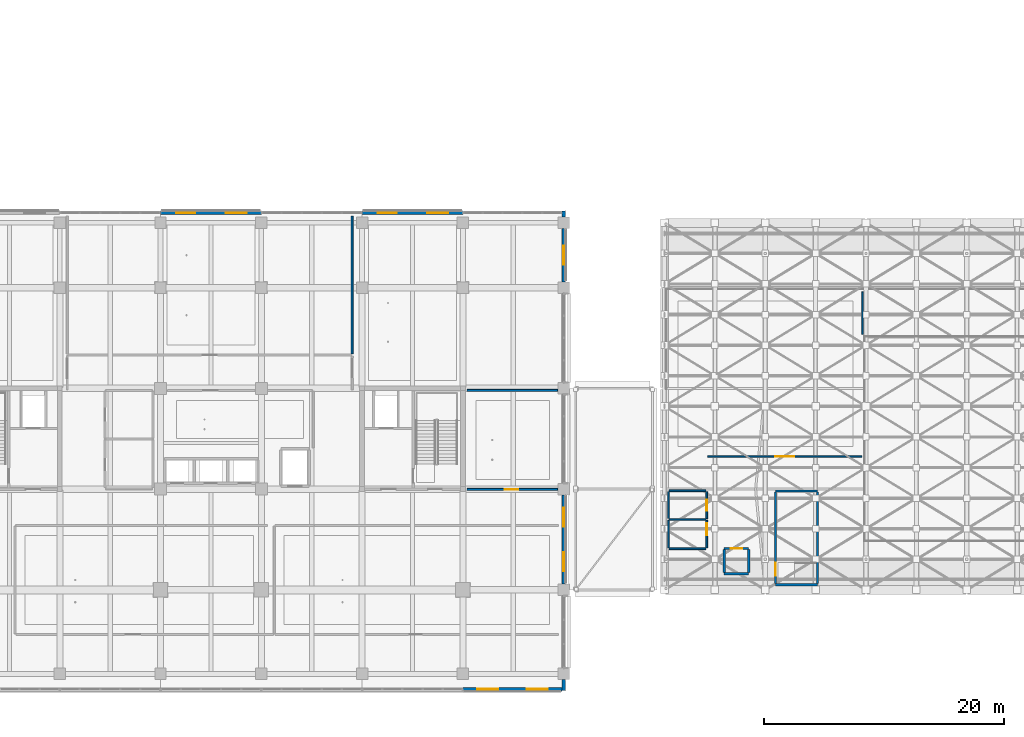
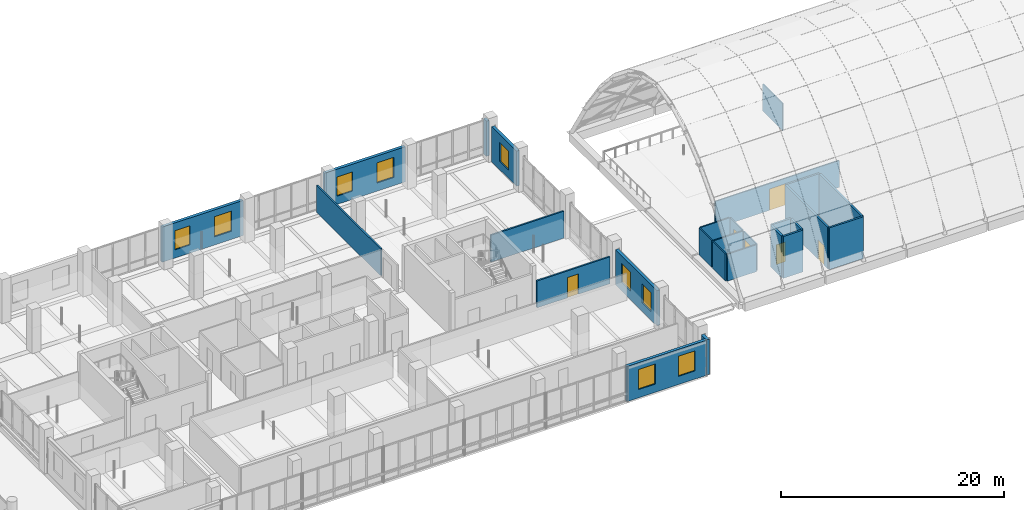
# One storey, part 56 of 128: 27 walls, 9 windows, 6 doors, 15 openings.
"""IFC4 building model written with IfcOpenShell, lengths in metres."""

from ifc_helpers import new_model, si_unit, direction, frame, frame_2d, origin, place, context, subcontext, project, spatial, rectangle, extrude, material, layer, layer_set, type_object, element, fill, save


model = new_model("IFC4")

# Units and contexts
model_context = context("Model", 3, precision=1e-05, world=origin(), true_north=direction((0.0, 1.0)))
body_context = subcontext(model_context, "Body", "Model", "MODEL_VIEW")
ifc_project = project(units=[si_unit("LENGTHUNIT", "METRE"), si_unit("AREAUNIT", "SQUARE_METRE"), si_unit("VOLUMEUNIT", "CUBIC_METRE"), si_unit("PLANEANGLEUNIT", "RADIAN"), si_unit("MASSUNIT", "GRAM", prefix="KILO")], contexts=[model_context])

# Site, building, storey
site_placement = place(None, origin())
site = spatial("IfcSite", under=ifc_project, at=site_placement, CompositionType="ELEMENT")
building_placement = place(site_placement, origin())
building = spatial("IfcBuilding", under=site, at=building_placement, Name="Telukmera Botanical Conservatory", CompositionType="ELEMENT")
storey_placement = place(building_placement, frame((0.0, 0.0, 5.39990234375)))
storey = spatial("IfcBuildingStorey", under=building, at=storey_placement, Name="L01", CompositionType="ELEMENT", Elevation=5.39990234375)

# Walls
ifc_material_1 = material(Name="Terracotta-faced precast concrete C40/50", Category="masonry")
ifc_layer_1 = layer(ifc_material_1, 0.300048828125)
ifc_layer_set_1 = layer_set([ifc_layer_1], Name="Terracotta-faced precast concrete C40/50")
wall_type_1 = type_object("IfcWallType", Name="Exterior Polychrome Terracotta Precast Wall 300", PredefinedType="SOLIDWALL", material=ifc_layer_set_1)
wall_1_placement = place(storey_placement, frame((109.199951171875, 9.199951171875, 0.0), z_axis=(0.0, 0.0, 1.0), x_axis=(0.0, 1.0, 0.0)))
element("IfcWall", 1, at=wall_1_placement, inside=storey, type_object=wall_type_1, Name="Exterior Precast Wall EW02 V4:L01:SEC", PredefinedType="SOLIDWALL", context=body_context, shape_type="SweptSolid", body=[
    extrude(rectangle(XDim=0.923095703125, YDim=0.300048828125, at=frame_2d((0.46142578125, 0.0))), origin(), (0.0, 0.0, 1.0), 3.85009765625),
])
wall_2_placement = place(storey_placement, frame((109.199951171875, 48.677001953125, 0.0), z_axis=(0.0, 0.0, 1.0), x_axis=(0.0, 1.0, 0.0)))
element("IfcWall", 2, at=wall_2_placement, inside=storey, type_object=wall_type_1, Name="Exterior Precast Wall EW02 V4:L01:NEC", PredefinedType="SOLIDWALL", context=body_context, shape_type="SweptSolid", body=[
    extrude(rectangle(XDim=0.52294921875, YDim=0.300048828125, at=frame_2d((0.261474609375, 0.0))), origin(), (0.0, 0.0, 1.0), 3.85009765625),
])

# Wall, openings, windows
wall_3_placement = place(storey_placement, frame((100.802001953125, 9.320068359375, 0.0), z_axis=(0.0, 0.0, 1.0), x_axis=(1.0, 0.0, 0.0)))
wall_3 = element("IfcWall", 3, at=wall_3_placement, inside=storey, type_object=wall_type_1, Name="Exterior Precast Wall EW02 V4:L01:S7", PredefinedType="SOLIDWALL", context=body_context, shape_type="SweptSolid", body=[
    extrude(rectangle(XDim=8.24609375, YDim=0.300048828125, at=frame_2d((4.123046875, 0.0))), origin(), (0.0, 0.0, 1.0), 3.85009765625),
])
opening_1_placement = place(wall_3_placement, frame((1.1865234375, 0.0, 0.89990234375)))
opening_1 = element("IfcOpeningElement", 4, at=opening_1_placement, cuts=wall_3, Name="Opening W08", PredefinedType="OPENING", context=body_context, shape_type="SweptSolid", body=[
    extrude(rectangle(XDim=1.75, YDim=2.199951171875, at=frame_2d((0.875, 1.10009765625))), frame((0.0, 0.159912109375, 0.0), z_axis=(0.0, -1.0, 0.0), x_axis=(1.0, 0.0, 0.0)), (0.0, 0.0, 1.0), 0.320068359375),
])
opening_2_placement = place(wall_3_placement, frame((5.3095703125, 0.0, 0.89990234375)))
opening_2 = element("IfcOpeningElement", 5, at=opening_2_placement, cuts=wall_3, Name="Opening W08", PredefinedType="OPENING", context=body_context, shape_type="SweptSolid", body=[
    extrude(rectangle(XDim=1.75, YDim=2.199951171875, at=frame_2d((0.875, 1.10009765625))), frame((0.0, 0.159912109375, 0.0), z_axis=(0.0, -1.0, 0.0), x_axis=(1.0, 0.0, 0.0)), (0.0, 0.0, 1.0), 0.320068359375),
])
ifc_material_2 = material(Name="Thermally broken anodised aluminium frame with low-E double glazing", Category="aluminium")
window_type_1 = type_object("IfcWindowType", Name="Double Vertical Library Reading Window 1750x2200", PartitioningType="DOUBLE_PANEL_VERTICAL", PredefinedType="WINDOW", material=ifc_material_2)
window_1_placement = place(opening_1_placement, origin())
window_1 = element("IfcWindow", 6, at=window_1_placement, inside=storey, type_object=window_type_1, Name="Facade Window W08 V4:L01:S7 1", OverallHeight=2.199951171875, OverallWidth=1.75, PartitioningType="DOUBLE_PANEL_VERTICAL", PredefinedType="WINDOW", context=body_context, shape_type="SweptSolid", body=[
    extrude(rectangle(XDim=1.75, YDim=2.199951171875, at=frame_2d((0.875, 1.10009765625))), frame((0.0, 0.030029296875, 0.0), z_axis=(0.0, -1.0, 0.0), x_axis=(1.0, 0.0, 0.0)), (0.0, 0.0, 1.0), 0.06005859375),
])
fill(opening_1, window_1)
window_2_placement = place(opening_2_placement, origin())
window_2 = element("IfcWindow", 7, at=window_2_placement, inside=storey, type_object=window_type_1, Name="Facade Window W08 V4:L01:S7 2", OverallHeight=2.199951171875, OverallWidth=1.75, PartitioningType="DOUBLE_PANEL_VERTICAL", PredefinedType="WINDOW", context=body_context, shape_type="SweptSolid", body=[
    extrude(rectangle(XDim=1.75, YDim=2.199951171875, at=frame_2d((0.875, 1.10009765625))), frame((0.0, 0.030029296875, 0.0), z_axis=(0.0, -1.0, 0.0), x_axis=(1.0, 0.0, 0.0)), (0.0, 0.0, 1.0), 0.06005859375),
])
fill(opening_2, window_2)

wall_4_placement = place(storey_placement, frame((75.60205078125, 49.02001953125, 0.0), z_axis=(0.0, 0.0, 1.0), x_axis=(1.0, 0.0, 0.0)))
wall_4 = element("IfcWall", 8, at=wall_4_placement, inside=storey, type_object=wall_type_1, Name="Exterior Precast Wall EW02 V4:L01:N4", PredefinedType="SOLIDWALL", context=body_context, shape_type="SweptSolid", body=[
    extrude(rectangle(XDim=8.39599609375, YDim=0.300048828125, at=frame_2d((4.197998046875, 0.0))), origin(), (0.0, 0.0, 1.0), 3.85009765625),
])
opening_3_placement = place(wall_4_placement, frame((1.299072265625, 0.0, 0.89990234375)))
opening_3 = element("IfcOpeningElement", 9, at=opening_3_placement, cuts=wall_4, Name="Opening W07", PredefinedType="OPENING", context=body_context, shape_type="SweptSolid", body=[
    extrude(rectangle(XDim=1.60009765625, YDim=2.10009765625, at=frame_2d((0.800048828125, 1.050048828125))), frame((0.0, 0.159912109375, 0.0), z_axis=(0.0, -1.0, 0.0), x_axis=(1.0, 0.0, 0.0)), (0.0, 0.0, 1.0), 0.320068359375),
])
opening_4_placement = place(wall_4_placement, frame((5.422119140625, 0.0, 0.89990234375)))
opening_4 = element("IfcOpeningElement", 10, at=opening_4_placement, cuts=wall_4, Name="Opening W08", PredefinedType="OPENING", context=body_context, shape_type="SweptSolid", body=[
    extrude(rectangle(XDim=1.75, YDim=2.199951171875, at=frame_2d((0.875, 1.10009765625))), frame((0.0, 0.159912109375, 0.0), z_axis=(0.0, -1.0, 0.0), x_axis=(1.0, 0.0, 0.0)), (0.0, 0.0, 1.0), 0.320068359375),
])
window_type_2 = type_object("IfcWindowType", Name="Double Vertical Curation Study Window 1600x2100", PartitioningType="DOUBLE_PANEL_VERTICAL", PredefinedType="WINDOW", material=ifc_material_2)
window_3_placement = place(opening_3_placement, origin())
window_3 = element("IfcWindow", 11, at=window_3_placement, inside=storey, type_object=window_type_2, Name="Facade Window W07 V4:L01:N4 1", OverallHeight=2.10009765625, OverallWidth=1.60009765625, PartitioningType="DOUBLE_PANEL_VERTICAL", PredefinedType="WINDOW", context=body_context, shape_type="SweptSolid", body=[
    extrude(rectangle(XDim=1.60009765625, YDim=2.10009765625, at=frame_2d((0.800048828125, 1.050048828125))), frame((0.0, 0.030029296875, 0.0), z_axis=(0.0, -1.0, 0.0), x_axis=(1.0, 0.0, 0.0)), (0.0, 0.0, 1.0), 0.06005859375),
])
fill(opening_3, window_3)
window_4_placement = place(opening_4_placement, origin())
window_4 = element("IfcWindow", 12, at=window_4_placement, inside=storey, type_object=window_type_1, Name="Facade Window W08 V4:L01:N4 2", OverallHeight=2.199951171875, OverallWidth=1.75, PartitioningType="DOUBLE_PANEL_VERTICAL", PredefinedType="WINDOW", context=body_context, shape_type="SweptSolid", body=[
    extrude(rectangle(XDim=1.75, YDim=2.199951171875, at=frame_2d((0.875, 1.10009765625))), frame((0.0, 0.030029296875, 0.0), z_axis=(0.0, -1.0, 0.0), x_axis=(1.0, 0.0, 0.0)), (0.0, 0.0, 1.0), 0.06005859375),
])
fill(opening_4, window_4)

wall_5_placement = place(storey_placement, frame((92.402099609375, 49.02001953125, 0.0), z_axis=(0.0, 0.0, 1.0), x_axis=(1.0, 0.0, 0.0)))
wall_5 = element("IfcWall", 13, at=wall_5_placement, inside=storey, type_object=wall_type_1, Name="Exterior Precast Wall EW02 V4:L01:N6", PredefinedType="SOLIDWALL", context=body_context, shape_type="SweptSolid", body=[
    extrude(rectangle(XDim=8.39599609375, YDim=0.300048828125, at=frame_2d((4.197998046875, 0.0))), origin(), (0.0, 0.0, 1.0), 3.85009765625),
])
opening_5_placement = place(wall_5_placement, frame((1.299072265625, 0.0, 0.89990234375)))
opening_5 = element("IfcOpeningElement", 14, at=opening_5_placement, cuts=wall_5, Name="Opening W07", PredefinedType="OPENING", context=body_context, shape_type="SweptSolid", body=[
    extrude(rectangle(XDim=1.60009765625, YDim=2.10009765625, at=frame_2d((0.800048828125, 1.050048828125))), frame((0.0, 0.159912109375, 0.0), z_axis=(0.0, -1.0, 0.0), x_axis=(1.0, 0.0, 0.0)), (0.0, 0.0, 1.0), 0.320068359375),
])
opening_6_placement = place(wall_5_placement, frame((5.422119140625, 0.0, 0.89990234375)))
opening_6 = element("IfcOpeningElement", 15, at=opening_6_placement, cuts=wall_5, Name="Opening W08", PredefinedType="OPENING", context=body_context, shape_type="SweptSolid", body=[
    extrude(rectangle(XDim=1.75, YDim=2.199951171875, at=frame_2d((0.875, 1.10009765625))), frame((0.0, 0.159912109375, 0.0), z_axis=(0.0, -1.0, 0.0), x_axis=(1.0, 0.0, 0.0)), (0.0, 0.0, 1.0), 0.320068359375),
])
window_5_placement = place(opening_5_placement, origin())
window_5 = element("IfcWindow", 16, at=window_5_placement, inside=storey, type_object=window_type_2, Name="Facade Window W07 V4:L01:N6 1", OverallHeight=2.10009765625, OverallWidth=1.60009765625, PartitioningType="DOUBLE_PANEL_VERTICAL", PredefinedType="WINDOW", context=body_context, shape_type="SweptSolid", body=[
    extrude(rectangle(XDim=1.60009765625, YDim=2.10009765625, at=frame_2d((0.800048828125, 1.050048828125))), frame((0.0, 0.030029296875, 0.0), z_axis=(0.0, -1.0, 0.0), x_axis=(1.0, 0.0, 0.0)), (0.0, 0.0, 1.0), 0.06005859375),
])
fill(opening_5, window_5)
window_6_placement = place(opening_6_placement, origin())
window_6 = element("IfcWindow", 17, at=window_6_placement, inside=storey, type_object=window_type_1, Name="Facade Window W08 V4:L01:N6 2", OverallHeight=2.199951171875, OverallWidth=1.75, PartitioningType="DOUBLE_PANEL_VERTICAL", PredefinedType="WINDOW", context=body_context, shape_type="SweptSolid", body=[
    extrude(rectangle(XDim=1.75, YDim=2.199951171875, at=frame_2d((0.875, 1.10009765625))), frame((0.0, 0.030029296875, 0.0), z_axis=(0.0, -1.0, 0.0), x_axis=(1.0, 0.0, 0.0)), (0.0, 0.0, 1.0), 0.06005859375),
])
fill(opening_6, window_6)

wall_6_placement = place(storey_placement, frame((109.199951171875, 18.076904296875, 0.0), z_axis=(0.0, 0.0, 1.0), x_axis=(0.0, 1.0, 0.0)))
wall_6 = element("IfcWall", 18, at=wall_6_placement, inside=storey, type_object=wall_type_1, Name="Exterior Precast Wall EW02 V4:L01:E2", PredefinedType="SOLIDWALL", context=body_context, shape_type="SweptSolid", body=[
    extrude(rectangle(XDim=7.446044921875, YDim=0.300048828125, at=frame_2d((3.72314453125, 0.0))), origin(), (0.0, 0.0, 1.0), 3.85009765625),
])
opening_7_placement = place(wall_6_placement, frame((1.0615234375, 0.0, 0.89990234375)))
opening_7 = element("IfcOpeningElement", 19, at=opening_7_placement, cuts=wall_6, Name="Opening W07", PredefinedType="OPENING", context=body_context, shape_type="SweptSolid", body=[
    extrude(rectangle(XDim=1.60009765625, YDim=2.10009765625, at=frame_2d((0.800048828125, 1.050048828125))), frame((0.0, 0.159912109375, 0.0), z_axis=(0.0, -1.0, 0.0), x_axis=(1.0, 0.0, 0.0)), (0.0, 0.0, 1.0), 0.320068359375),
])
opening_8_placement = place(wall_6_placement, frame((4.784423828125, 0.0, 0.89990234375)))
opening_8 = element("IfcOpeningElement", 20, at=opening_8_placement, cuts=wall_6, Name="Opening W07", PredefinedType="OPENING", context=body_context, shape_type="SweptSolid", body=[
    extrude(rectangle(XDim=1.60009765625, YDim=2.10009765625, at=frame_2d((0.800048828125, 1.050048828125))), frame((0.0, 0.159912109375, 0.0), z_axis=(0.0, -1.0, 0.0), x_axis=(1.0, 0.0, 0.0)), (0.0, 0.0, 1.0), 0.320068359375),
])
window_7_placement = place(opening_7_placement, origin())
window_7 = element("IfcWindow", 21, at=window_7_placement, inside=storey, type_object=window_type_2, Name="Facade Window W07 V4:L01:E2 1", OverallHeight=2.10009765625, OverallWidth=1.60009765625, PartitioningType="DOUBLE_PANEL_VERTICAL", PredefinedType="WINDOW", context=body_context, shape_type="SweptSolid", body=[
    extrude(rectangle(XDim=1.60009765625, YDim=2.10009765625, at=frame_2d((0.800048828125, 1.050048828125))), frame((0.0, 0.030029296875, 0.0), z_axis=(0.0, -1.0, 0.0), x_axis=(1.0, 0.0, 0.0)), (0.0, 0.0, 1.0), 0.06005859375),
])
fill(opening_7, window_7)
window_8_placement = place(opening_8_placement, origin())
window_8 = element("IfcWindow", 22, at=window_8_placement, inside=storey, type_object=window_type_2, Name="Facade Window W07 V4:L01:E2 2", OverallHeight=2.10009765625, OverallWidth=1.60009765625, PartitioningType="DOUBLE_PANEL_VERTICAL", PredefinedType="WINDOW", context=body_context, shape_type="SweptSolid", body=[
    extrude(rectangle(XDim=1.60009765625, YDim=2.10009765625, at=frame_2d((0.800048828125, 1.050048828125))), frame((0.0, 0.030029296875, 0.0), z_axis=(0.0, -1.0, 0.0), x_axis=(1.0, 0.0, 0.0)), (0.0, 0.0, 1.0), 0.06005859375),
])
fill(opening_8, window_8)

# Wall, opening, window
wall_7_placement = place(storey_placement, frame((109.199951171875, 43.277099609375, 0.0), z_axis=(0.0, 0.0, 1.0), x_axis=(0.0, 1.0, 0.0)))
wall_7 = element("IfcWall", 23, at=wall_7_placement, inside=storey, type_object=wall_type_1, Name="Exterior Precast Wall EW02 V4:L01:E5", PredefinedType="SOLIDWALL", context=body_context, shape_type="SweptSolid", body=[
    extrude(rectangle(XDim=4.44580078125, YDim=0.300048828125, at=frame_2d((2.222900390625, 0.0))), origin(), (0.0, 0.0, 1.0), 3.85009765625),
])
opening_9_placement = place(wall_7_placement, frame((1.423095703125, 0.0, 0.89990234375)))
opening_9 = element("IfcOpeningElement", 24, at=opening_9_placement, cuts=wall_7, Name="Opening W07", PredefinedType="OPENING", context=body_context, shape_type="SweptSolid", body=[
    extrude(rectangle(XDim=1.60009765625, YDim=2.10009765625, at=frame_2d((0.800048828125, 1.050048828125))), frame((0.0, 0.159912109375, 0.0), z_axis=(0.0, -1.0, 0.0), x_axis=(1.0, 0.0, 0.0)), (0.0, 0.0, 1.0), 0.320068359375),
])
window_9_placement = place(opening_9_placement, origin())
window_9 = element("IfcWindow", 25, at=window_9_placement, inside=storey, type_object=window_type_2, Name="Facade Window W07 V4:L01:E5", OverallHeight=2.10009765625, OverallWidth=1.60009765625, PartitioningType="DOUBLE_PANEL_VERTICAL", PredefinedType="WINDOW", context=body_context, shape_type="SweptSolid", body=[
    extrude(rectangle(XDim=1.60009765625, YDim=2.10009765625, at=frame_2d((0.800048828125, 1.050048828125))), frame((0.0, 0.030029296875, 0.0), z_axis=(0.0, -1.0, 0.0), x_axis=(1.0, 0.0, 0.0)), (0.0, 0.0, 1.0), 0.06005859375),
])
fill(opening_9, window_9)

# Wall, opening, door
ifc_material_3 = material(Name="Concrete C40/50", Category="concrete")
ifc_layer_2 = layer(ifc_material_3, 0.199951171875)
ifc_layer_set_2 = layer_set([ifc_layer_2], Name="Concrete C40/50")
wall_type_2 = type_object("IfcWallType", Name="WT-CORE-200", PredefinedType="SOLIDWALL", material=ifc_layer_set_2)
wall_8_placement = place(storey_placement, frame((122.580078125, 21.050048828125, 0.0), z_axis=(0.0, 0.0, 1.0), x_axis=(1.0, 0.0, 0.0)))
wall_8 = element("IfcWall", 26, at=wall_8_placement, inside=storey, type_object=wall_type_2, Name="L01 Lift CL1 Front Wall", PredefinedType="SOLIDWALL", context=body_context, shape_type="SweptSolid", body=[
    extrude(rectangle(XDim=2.0400390625, YDim=0.199951171875, at=frame_2d((1.02001953125, 0.0))), origin(), (0.0, 0.0, 1.0), 4.580078125),
])
opening_10_placement = place(wall_8_placement, frame((0.544921875, 0.0, 0.0)))
opening_10 = element("IfcOpeningElement", 27, at=opening_10_placement, cuts=wall_8, Name="Opening LD04", PredefinedType="OPENING", context=body_context, shape_type="SweptSolid", body=[
    extrude(rectangle(XDim=0.949951171875, YDim=2.14990234375, at=frame_2d((0.47509765625, 1.074951171875))), frame((0.0, 0.10986328125, 0.0), z_axis=(0.0, -1.0, 0.0), x_axis=(1.0, 0.0, 0.0)), (0.0, 0.0, 1.0), 0.219970703125),
])
ifc_material_4 = material(Name="Anodised aluminium and glass", Category="aluminium")
door_type_1 = type_object("IfcDoorType", Name="DT-LD04", OperationType="SLIDING_TO_LEFT", PredefinedType="DOOR", material=ifc_material_4)
door_1_placement = place(opening_10_placement, origin())
door_1 = element("IfcDoor", 28, at=door_1_placement, inside=storey, type_object=door_type_1, Name="L01 Lift Landing Door CL1", OperationType="SLIDING_TO_LEFT", OverallHeight=2.14990234375, OverallWidth=0.949951171875, PredefinedType="DOOR", context=body_context, shape_type="SweptSolid", body=[
    extrude(rectangle(XDim=0.949951171875, YDim=2.14990234375, at=frame_2d((0.47509765625, 1.074951171875))), frame((0.0, 0.02490234375, 0.0), z_axis=(0.0, -1.0, 0.0), x_axis=(1.0, 0.0, 0.0)), (0.0, 0.0, 1.0), 0.050048828125),
])
fill(opening_10, door_1)

# Walls
wall_9_placement = place(storey_placement, frame((122.580078125, 18.949951171875, 0.0), z_axis=(0.0, 0.0, 1.0), x_axis=(1.0, 0.0, 0.0)))
element("IfcWall", 29, at=wall_9_placement, inside=storey, type_object=wall_type_2, Name="L01 Lift CL1 Rear Wall", PredefinedType="SOLIDWALL", context=body_context, shape_type="SweptSolid", body=[
    extrude(rectangle(XDim=2.0400390625, YDim=0.199951171875, at=frame_2d((1.02001953125, 0.0))), origin(), (0.0, 0.0, 1.0), 4.580078125),
])
for number, where, z_axis, x_axis, name in (
    (30, (122.580078125, 19.050048828125, 0.0), (0.0, 0.0, 1.0), (0.0, 1.0, 0.0), "L01 Lift CL1 W Wall"),
    (31, (124.6201171875, 19.050048828125, 0.0), (0.0, 0.0, 1.0), (0.0, 1.0, 0.0), "L01 Lift CL1 E Wall"),
):
    element("IfcWall", number, at=place(storey_placement, frame(where, z_axis=z_axis, x_axis=x_axis)), inside=storey, type_object=wall_type_2, Name=name, PredefinedType="SOLIDWALL", context=body_context, shape_type="SweptSolid", body=[
        extrude(rectangle(XDim=1.89990234375, YDim=0.199951171875, at=frame_2d((0.949951171875, 0.0))), origin(), (0.0, 0.0, 1.0), 4.580078125),
    ])

# Wall, opening, door
ifc_material_5 = material(Name="Aluminium framed acoustic glass", Category="aluminium")
ifc_layer_3 = layer(ifc_material_5, 0.1201171875)
ifc_layer_set_3 = layer_set([ifc_layer_3], Name="Aluminium framed acoustic glass")
wall_type_3 = type_object("IfcWallType", Name="WT-GLAZ-120", PredefinedType="PARTITIONING", material=ifc_layer_set_3)
wall_10_placement = place(storey_placement, frame((121.199951171875, 28.72509765625, 0.0), z_axis=(0.0, 0.0, 1.0), x_axis=(1.0, 0.0, 0.0)))
wall_10 = element("IfcWall", 32, at=wall_10_placement, inside=storey, type_object=wall_type_3, Name="L01 Interior Partition 22", PredefinedType="PARTITIONING", context=body_context, shape_type="SweptSolid", body=[
    extrude(rectangle(XDim=12.85009765625, YDim=0.1201171875, at=frame_2d((6.425048828125, 0.0))), origin(), (0.0, 0.0, 1.0), 2.9501953125),
])
opening_11_placement = place(wall_10_placement, frame((5.625, 0.0, 0.0)))
opening_11 = element("IfcOpeningElement", 33, at=opening_11_placement, cuts=wall_10, Name="Opening ID03", PredefinedType="OPENING", context=body_context, shape_type="SweptSolid", body=[
    extrude(rectangle(XDim=1.60009765625, YDim=2.35009765625, at=frame_2d((0.800048828125, 1.175048828125))), frame((0.0, 0.070068359375, 0.0), z_axis=(0.0, -1.0, 0.0), x_axis=(1.0, 0.0, 0.0)), (0.0, 0.0, 1.0), 0.14013671875),
])
ifc_material_6 = material(Name="Anodised aluminium glazed double door", Category="aluminium")
door_type_2 = type_object("IfcDoorType", Name="DT-GAL-160", OperationType="NOTDEFINED", PredefinedType="DOOR", material=ifc_material_6)
door_2_placement = place(opening_11_placement, origin())
door_2 = element("IfcDoor", 34, at=door_2_placement, inside=storey, type_object=door_type_2, Name="L01 Conservatory Epiphyte Gallery Door", OperationType="SINGLE_SWING_LEFT", OverallHeight=2.35009765625, OverallWidth=1.60009765625, PredefinedType="DOOR", context=body_context, shape_type="SweptSolid", body=[
    extrude(rectangle(XDim=1.60009765625, YDim=2.35009765625, at=frame_2d((0.800048828125, 1.175048828125))), frame((0.0, 0.02490234375, 0.0), z_axis=(0.0, -1.0, 0.0), x_axis=(1.0, 0.0, 0.0)), (0.0, 0.0, 1.0), 0.050048828125),
])
fill(opening_11, door_2)

# Wall
wall_11_placement = place(storey_placement, frame((134.125, 38.89990234375, 0.0), z_axis=(0.0, 0.0, 1.0), x_axis=(0.0, 1.0, 0.0)))
element("IfcWall", 35, at=wall_11_placement, inside=storey, type_object=wall_type_3, Name="L01 Interior Partition 23", PredefinedType="PARTITIONING", context=body_context, shape_type="SweptSolid", body=[
    extrude(rectangle(XDim=3.550048828125, YDim=0.1201171875, at=frame_2d((1.77490234375, 0.0))), origin(), (0.0, 0.0, 1.0), 2.9501953125),
])

# Wall, opening, door
ifc_material_7 = material(Name="Gypsum acoustic stud partition")
ifc_layer_4 = layer(ifc_material_7, 0.159912109375)
ifc_layer_set_4 = layer_set([ifc_layer_4], Name="Gypsum acoustic stud partition")
wall_type_4 = type_object("IfcWallType", Name="WT-LAB-160", PredefinedType="PARTITIONING", material=ifc_layer_set_4)
wall_12_placement = place(storey_placement, frame((101.14990234375, 25.97509765625, 0.0), z_axis=(0.0, 0.0, 1.0), x_axis=(1.0, 0.0, 0.0)))
wall_12 = element("IfcWall", 36, at=wall_12_placement, inside=storey, type_object=wall_type_4, Name="L01 Interior Partition 47", PredefinedType="PARTITIONING", context=body_context, shape_type="SweptSolid", body=[
    extrude(rectangle(XDim=7.545166015625, YDim=0.159912109375, at=frame_2d((3.7724609375, 0.0))), origin(), (0.0, 0.0, 1.0), 2.9501953125),
])
opening_12_placement = place(wall_12_placement, frame((3.126708984375, 0.0, 0.0)))
opening_12 = element("IfcOpeningElement", 37, at=opening_12_placement, cuts=wall_12, Name="Opening ID10", PredefinedType="OPENING", context=body_context, shape_type="SweptSolid", body=[
    extrude(rectangle(XDim=1.139892578125, YDim=2.219970703125, at=frame_2d((0.56982421875, 1.10986328125))), frame((0.0, 0.08984375, 0.0), z_axis=(0.0, -1.0, 0.0), x_axis=(1.0, 0.0, 0.0)), (0.0, 0.0, 1.0), 0.179931640625),
])
ifc_material_8 = material(Name="Sealed steel herbarium door", Category="steel")
door_type_3 = type_object("IfcDoorType", Name="DT-HERB-114", OperationType="NOTDEFINED", PredefinedType="DOOR", material=ifc_material_8)
door_3_placement = place(opening_12_placement, origin())
door_3 = element("IfcDoor", 38, at=door_3_placement, inside=storey, type_object=door_type_3, Name="L01 Botanical Map Archive Studio Door", OperationType="SINGLE_SWING_LEFT", OverallHeight=2.219970703125, OverallWidth=1.139892578125, PredefinedType="DOOR", context=body_context, shape_type="SweptSolid", body=[
    extrude(rectangle(XDim=1.139892578125, YDim=2.219970703125, at=frame_2d((0.56982421875, 1.10986328125))), frame((0.0, 0.02490234375, 0.0), z_axis=(0.0, -1.0, 0.0), x_axis=(1.0, 0.0, 0.0)), (0.0, 0.0, 1.0), 0.050048828125),
])
fill(opening_12, door_3)

# Walls
wall_13_placement = place(storey_placement, frame((101.14990234375, 34.22509765625, 0.0), z_axis=(0.0, 0.0, 1.0), x_axis=(1.0, 0.0, 0.0)))
element("IfcWall", 39, at=wall_13_placement, inside=storey, type_object=wall_type_4, Name="L01 Interior Partition 48", PredefinedType="PARTITIONING", context=body_context, shape_type="SweptSolid", body=[
    extrude(rectangle(XDim=7.545166015625, YDim=0.159912109375, at=frame_2d((3.7724609375, 0.0))), origin(), (0.0, 0.0, 1.0), 2.9501953125),
])
wall_14_placement = place(storey_placement, frame((91.574951171875, 37.264892578125, 0.0), z_axis=(0.0, 0.0, 1.0), x_axis=(0.0, 1.0, 0.0)))
element("IfcWall", 40, at=wall_14_placement, inside=storey, type_object=wall_type_4, Name="L01 Interior Partition 64", PredefinedType="PARTITIONING", context=body_context, shape_type="SweptSolid", body=[
    extrude(rectangle(XDim=11.485107421875, YDim=0.159912109375, at=frame_2d((5.74267578125, 0.0))), origin(), (0.0, 0.0, 1.0), 2.9501953125),
])
ifc_layer_5 = layer(ifc_material_3, 0.18994140625)
ifc_layer_set_5 = layer_set([ifc_layer_5], Name="Concrete C40/50")
wall_type_5 = type_object("IfcWallType", Name="WT-STAIR-190", PredefinedType="SOLIDWALL", material=ifc_layer_set_5)
for number, where, z_axis, x_axis, name in (
    (41, (126.85009765625, 18.0400390625, 0.0), (0.0, 0.0, 1.0), (1.0, 0.0, 0.0), "L01 Stair ST5 South Wall"),
    (42, (126.85009765625, 25.840087890625, 0.0), (0.0, 0.0, 1.0), (1.0, 0.0, 0.0), "L01 Stair ST5 North Wall"),
):
    element("IfcWall", number, at=place(storey_placement, frame(where, z_axis=z_axis, x_axis=x_axis)), inside=storey, type_object=wall_type_5, Name=name, PredefinedType="SOLIDWALL", context=body_context, shape_type="SweptSolid", body=[
        extrude(rectangle(XDim=3.5, YDim=0.18994140625, at=frame_2d((1.75, 0.0))), origin(), (0.0, 0.0, 1.0), 4.580078125),
    ])

# Wall, opening, door
wall_15_placement = place(storey_placement, frame((126.85009765625, 18.139892578125, 0.0), z_axis=(0.0, 0.0, 1.0), x_axis=(0.0, 1.0, 0.0)))
wall_15 = element("IfcWall", 43, at=wall_15_placement, inside=storey, type_object=wall_type_5, Name="L01 Stair ST5 West Wall", PredefinedType="SOLIDWALL", context=body_context, shape_type="SweptSolid", body=[
    extrude(rectangle(XDim=7.60009765625, YDim=0.18994140625, at=frame_2d((3.800048828125, 0.0))), origin(), (0.0, 0.0, 1.0), 4.580078125),
])
opening_13_placement = place(wall_15_placement, frame((0.659912109375, 0.0, 0.0)))
opening_13 = element("IfcOpeningElement", 44, at=opening_13_placement, cuts=wall_15, Name="Opening FD60E", PredefinedType="OPENING", context=body_context, shape_type="SweptSolid", body=[
    extrude(rectangle(XDim=1.080078125, YDim=2.14990234375, at=frame_2d((0.5400390625, 1.074951171875))), frame((0.0, 0.10498046875, 0.0), z_axis=(0.0, -1.0, 0.0), x_axis=(1.0, 0.0, 0.0)), (0.0, 0.0, 1.0), 0.2099609375),
])
ifc_material_9 = material(Name="Hardwood fire door", Category="wood")
door_type_4 = type_object("IfcDoorType", Name="DT-FD60-05", OperationType="NOTDEFINED", PredefinedType="DOOR", material=ifc_material_9)
door_4_placement = place(opening_13_placement, frame((1.080078125, 0.0, 0.0), z_axis=(0.0, 0.0, 1.0), x_axis=(-1.0, 0.0, 0.0)))
door_4 = element("IfcDoor", 45, at=door_4_placement, inside=storey, type_object=door_type_4, Name="L01 Stair ST5 Door", OperationType="SINGLE_SWING_LEFT", OverallHeight=2.14990234375, OverallWidth=1.080078125, PredefinedType="DOOR", context=body_context, shape_type="SweptSolid", body=[
    extrude(rectangle(XDim=1.080078125, YDim=2.14990234375, at=frame_2d((0.5400390625, 1.074951171875))), frame((0.0, 0.02490234375, 0.0), z_axis=(0.0, -1.0, 0.0), x_axis=(1.0, 0.0, 0.0)), (0.0, 0.0, 1.0), 0.050048828125),
])
fill(opening_13, door_4)

# Wall
wall_16_placement = place(storey_placement, frame((130.35009765625, 18.139892578125, 0.0), z_axis=(0.0, 0.0, 1.0), x_axis=(0.0, 1.0, 0.0)))
element("IfcWall", 46, at=wall_16_placement, inside=storey, type_object=wall_type_5, Name="L01 Stair ST5 East Wall", PredefinedType="SOLIDWALL", context=body_context, shape_type="SweptSolid", body=[
    extrude(rectangle(XDim=7.60009765625, YDim=0.18994140625, at=frame_2d((3.800048828125, 0.0))), origin(), (0.0, 0.0, 1.0), 4.580078125),
])

# Wall, opening, door
ifc_material_10 = material(Name="Moisture-resistant blockwork", Category="masonry")
ifc_layer_6 = layer(ifc_material_10, 0.135009765625)
ifc_layer_set_6 = layer_set([ifc_layer_6], Name="Moisture-resistant blockwork")
wall_type_6 = type_object("IfcWallType", Name="WT-WC-135", PredefinedType="PARTITIONING", material=ifc_layer_set_6)
wall_17_placement = place(storey_placement, frame((121.125, 21.10009765625, 0.0), z_axis=(0.0, 0.0, 1.0), x_axis=(0.0, 1.0, 0.0)))
wall_17 = element("IfcWall", 47, at=wall_17_placement, inside=storey, type_object=wall_type_6, Name="L01 Interior Partition 19", PredefinedType="PARTITIONING", context=body_context, shape_type="SweptSolid", body=[
    extrude(rectangle(XDim=2.2998046875, YDim=0.135009765625, at=frame_2d((1.14990234375, 0.0))), origin(), (0.0, 0.0, 1.0), 2.9501953125),
])
opening_14_placement = place(wall_17_placement, frame((1.070068359375, 0.0, 0.0)))
opening_14 = element("IfcOpeningElement", 48, at=opening_14_placement, cuts=wall_17, Name="Opening ID15", PredefinedType="OPENING", context=body_context, shape_type="SweptSolid", body=[
    extrude(rectangle(XDim=0.97998046875, YDim=2.14990234375, at=frame_2d((0.489990234375, 1.074951171875))), frame((0.0, 0.077392578125, 0.0), z_axis=(0.0, -1.0, 0.0), x_axis=(1.0, 0.0, 0.0)), (0.0, 0.0, 1.0), 0.155029296875),
])
ifc_material_11 = material(Name="Accessible sanitary laminate door")
door_type_5 = type_object("IfcDoorType", Name="DT-OKU-098", OperationType="NOTDEFINED", PredefinedType="DOOR", material=ifc_material_11)
door_5_placement = place(opening_14_placement, frame((0.97998046875, 0.0, 0.0), z_axis=(0.0, 0.0, 1.0), x_axis=(-1.0, 0.0, 0.0)))
door_5 = element("IfcDoor", 49, at=door_5_placement, inside=storey, type_object=door_type_5, Name="L01 Accessible WC Door", OperationType="SINGLE_SWING_LEFT", OverallHeight=2.14990234375, OverallWidth=0.97998046875, PredefinedType="DOOR", context=body_context, shape_type="SweptSolid", body=[
    extrude(rectangle(XDim=0.97998046875, YDim=2.14990234375, at=frame_2d((0.489990234375, 1.074951171875))), frame((0.0, 0.02490234375, 0.0), z_axis=(0.0, -1.0, 0.0), x_axis=(1.0, 0.0, 0.0)), (0.0, 0.0, 1.0), 0.050048828125),
])
fill(opening_14, door_5)

wall_18_placement = place(storey_placement, frame((121.125, 23.550048828125, 0.0), z_axis=(0.0, 0.0, 1.0), x_axis=(0.0, 1.0, 0.0)))
wall_18 = element("IfcWall", 50, at=wall_18_placement, inside=storey, type_object=wall_type_6, Name="L01 Interior Partition 20", PredefinedType="PARTITIONING", context=body_context, shape_type="SweptSolid", body=[
    extrude(rectangle(XDim=2.25, YDim=0.135009765625, at=frame_2d((1.125, 0.0))), origin(), (0.0, 0.0, 1.0), 2.9501953125),
])
opening_15_placement = place(wall_18_placement, frame((0.6650390625, 0.0, 0.0)))
opening_15 = element("IfcOpeningElement", 51, at=opening_15_placement, cuts=wall_18, Name="Opening ID17", PredefinedType="OPENING", context=body_context, shape_type="SweptSolid", body=[
    extrude(rectangle(XDim=0.919921875, YDim=2.1201171875, at=frame_2d((0.4599609375, 1.06005859375))), frame((0.0, 0.077392578125, 0.0), z_axis=(0.0, -1.0, 0.0), x_axis=(1.0, 0.0, 0.0)), (0.0, 0.0, 1.0), 0.155029296875),
])
ifc_material_12 = material(Name="Moisture-resistant laminate WC door")
door_type_6 = type_object("IfcDoorType", Name="DT-WC-092", OperationType="NOTDEFINED", PredefinedType="DOOR", material=ifc_material_12)
door_6_placement = place(opening_15_placement, frame((0.919921875, 0.0, 0.0), z_axis=(0.0, 0.0, 1.0), x_axis=(-1.0, 0.0, 0.0)))
door_6 = element("IfcDoor", 52, at=door_6_placement, inside=storey, type_object=door_type_6, Name="L01 Public WC Door", OperationType="SINGLE_SWING_RIGHT", OverallHeight=2.1201171875, OverallWidth=0.919921875, PredefinedType="DOOR", context=body_context, shape_type="SweptSolid", body=[
    extrude(rectangle(XDim=0.919921875, YDim=2.1201171875, at=frame_2d((0.4599609375, 1.06005859375))), frame((0.0, 0.02490234375, 0.0), z_axis=(0.0, -1.0, 0.0), x_axis=(1.0, 0.0, 0.0)), (0.0, 0.0, 1.0), 0.050048828125),
])
fill(opening_15, door_6)

# Walls
wall_19_placement = place(storey_placement, frame((118.0, 23.47509765625, 0.0), z_axis=(0.0, 0.0, 1.0), x_axis=(1.0, 0.0, 0.0)))
element("IfcWall", 53, at=wall_19_placement, inside=storey, type_object=wall_type_6, Name="L01 Interior Partition 21", PredefinedType="PARTITIONING", context=body_context, shape_type="SweptSolid", body=[
    extrude(rectangle(XDim=3.050048828125, YDim=0.135009765625, at=frame_2d((1.52490234375, 0.0))), origin(), (0.0, 0.0, 1.0), 2.9501953125),
])
wall_20_placement = place(storey_placement, frame((118.0, 21.032470703125, 0.0), z_axis=(0.0, 0.0, 1.0), x_axis=(1.0, 0.0, 0.0)))
element("IfcWall", 54, at=wall_20_placement, inside=storey, type_object=wall_type_6, Name="L01 WC Enclosure Partition 03", PredefinedType="PARTITIONING", context=body_context, shape_type="SweptSolid", body=[
    extrude(rectangle(XDim=3.047607421875, YDim=0.135009765625, at=frame_2d((1.52392578125, 0.0))), origin(), (0.0, 0.0, 1.0), 2.9501953125),
])
wall_21_placement = place(storey_placement, frame((117.9326171875, 21.110107421875, 0.0), z_axis=(0.0, 0.0, 1.0), x_axis=(0.0, 1.0, 0.0)))
element("IfcWall", 55, at=wall_21_placement, inside=storey, type_object=wall_type_6, Name="L01 WC Enclosure Partition 04", PredefinedType="PARTITIONING", context=body_context, shape_type="SweptSolid", body=[
    extrude(rectangle(XDim=2.287353515625, YDim=0.135009765625, at=frame_2d((1.1435546875, 0.0))), origin(), (0.0, 0.0, 1.0), 2.9501953125),
])
wall_22_placement = place(storey_placement, frame((118.0, 25.867431640625, 0.0), z_axis=(0.0, 0.0, 1.0), x_axis=(1.0, 0.0, 0.0)))
element("IfcWall", 56, at=wall_22_placement, inside=storey, type_object=wall_type_6, Name="L01 WC Enclosure Partition 05", PredefinedType="PARTITIONING", context=body_context, shape_type="SweptSolid", body=[
    extrude(rectangle(XDim=3.047607421875, YDim=0.135009765625, at=frame_2d((1.52392578125, 0.0))), origin(), (0.0, 0.0, 1.0), 2.9501953125),
])
wall_23_placement = place(storey_placement, frame((117.9326171875, 23.552490234375, 0.0), z_axis=(0.0, 0.0, 1.0), x_axis=(0.0, 1.0, 0.0)))
element("IfcWall", 57, at=wall_23_placement, inside=storey, type_object=wall_type_6, Name="L01 WC Enclosure Partition 06", PredefinedType="PARTITIONING", context=body_context, shape_type="SweptSolid", body=[
    extrude(rectangle(XDim=2.237548828125, YDim=0.135009765625, at=frame_2d((1.11865234375, 0.0))), origin(), (0.0, 0.0, 1.0), 2.9501953125),
])

save(model, "model.ifc")
